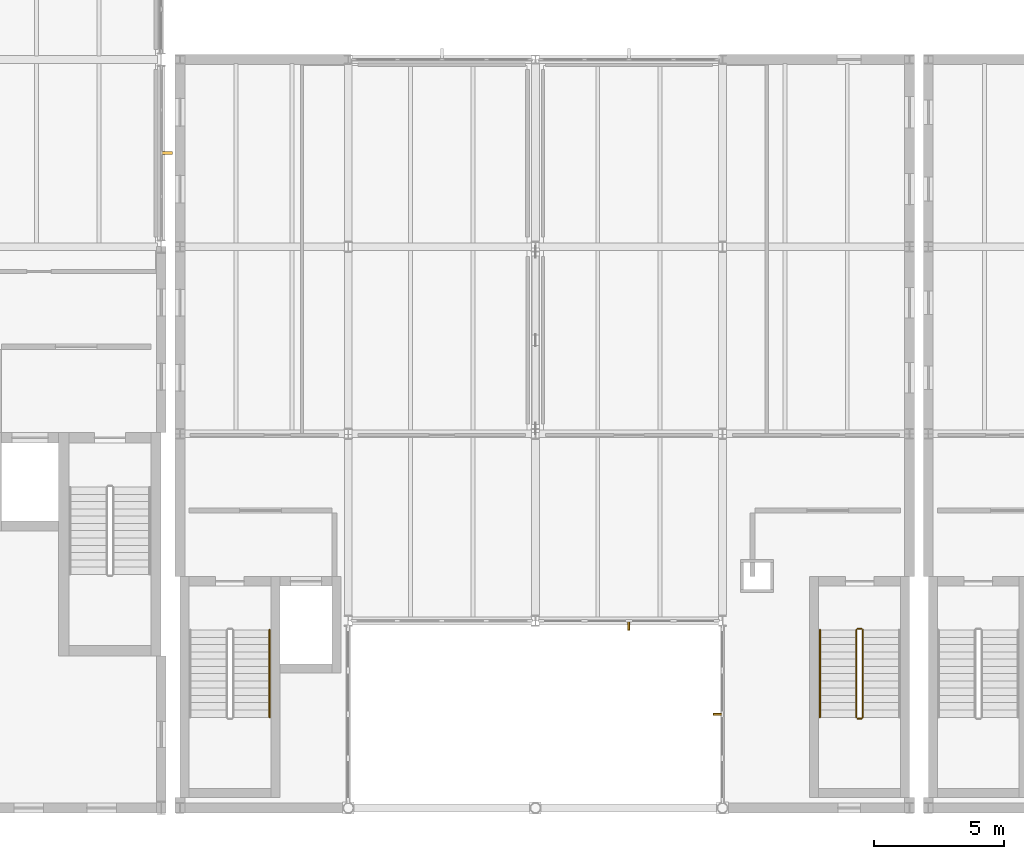
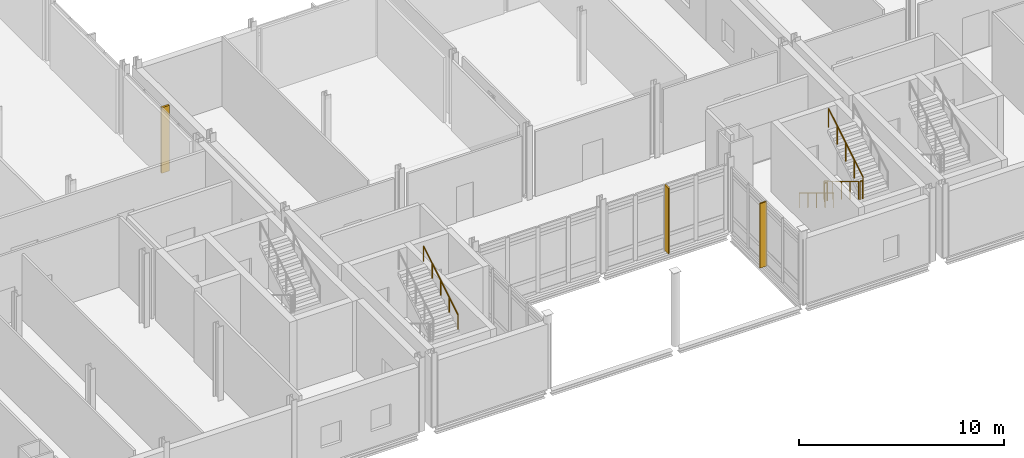
# One storey, part 66 of 76: 6 railings, 3 shading devices.
"""IFC4 building model written with IfcOpenShell, lengths in metres."""

from ifc_helpers import new_model, si_unit, direction, frame, origin, origin_2d, place, context, subcontext, project, spatial, rectangle, circle, extrude, material, layer, layer_set, type_object, element, save


model = new_model("IFC4")

# Units and contexts
model_context = context("Model", 3, precision=1e-05, world=origin(), true_north=direction((0.0, 1.0)))
body_context = subcontext(model_context, "Body", "Model", "MODEL_VIEW")
ifc_project = project(units=[si_unit("LENGTHUNIT", "METRE"), si_unit("AREAUNIT", "SQUARE_METRE"), si_unit("VOLUMEUNIT", "CUBIC_METRE"), si_unit("PLANEANGLEUNIT", "RADIAN"), si_unit("MASSUNIT", "GRAM", prefix="KILO")], contexts=[model_context])

# Site, building, storey
site_placement = place(None, origin())
site = spatial("IfcSite", under=ifc_project, at=site_placement, CompositionType="ELEMENT")
building_placement = place(site_placement, origin())
building = spatial("IfcBuilding", under=site, at=building_placement, Name="Zarrinpeak Specialist Clinic", CompositionType="ELEMENT")
storey_placement = place(building_placement, frame((0.0, 0.0, 5.199951171875)))
storey = spatial("IfcBuildingStorey", under=building, at=storey_placement, Name="L01", CompositionType="ELEMENT", Elevation=5.199951171875)

# Railings
ifc_material_1 = material(Name="Laminated Safety Glass and Stainless Steel 316", Category="steel")
ifc_layer_1 = layer(ifc_material_1, 0.06005859375)
ifc_layer_set_1 = layer_set([ifc_layer_1], Name="Laminated Safety Glass and Stainless Steel 316")
railing_type_1 = type_object("IfcRailingType", Name="RL-GRD115", PredefinedType="GUARDRAIL", material=ifc_layer_set_1)
railing_1_placement = place(storey_placement, frame((55.550048828125, 6.85009765625, 0.169189453125)))
element("IfcRailing", 1, at=railing_1_placement, inside=storey, type_object=railing_type_1, Name="L01 ST-04 stair guard 1", PredefinedType="GUARDRAIL", context=body_context, shape_type="SweptSolid", body=[
    extrude(circle(Radius=0.02392578125, at=origin_2d()), frame((0.0, 0.0, 1.076171875), z_axis=(0.0, -0.855836976705, 0.517245656632), x_axis=(1.0, 0.0, 0.0)), (0.0, 0.0, 1.0), 3.926025390625),
    extrude(circle(Radius=0.02099609375, at=origin_2d()), origin(), (0.0, 0.0, 1.0), 1.052001953125),
    extrude(circle(Radius=0.02099609375, at=origin_2d()), frame((0.0, -0.840087890625, 0.5078125)), (0.0, 0.0, 1.0), 1.052001953125),
    extrude(circle(Radius=0.02099609375, at=origin_2d()), frame((0.0, -1.68017578125, 1.015380859375)), (0.0, 0.0, 1.0), 1.052001953125),
    extrude(circle(Radius=0.02099609375, at=origin_2d()), frame((0.0, -2.52001953125, 1.52294921875)), (0.0, 0.0, 1.0), 1.052001953125),
    extrude(circle(Radius=0.02099609375, at=origin_2d()), frame((0.0, -3.360107421875, 2.03076171875)), (0.0, 0.0, 1.0), 1.052001953125),
])
railing_2_placement = place(storey_placement, frame((55.60009765625, 3.43994140625, 2.199951171875)))
element("IfcRailing", 2, at=railing_2_placement, inside=storey, type_object=railing_type_1, Name="L01 ST-04 stair guard 2", PredefinedType="GUARDRAIL", context=body_context, shape_type="SweptSolid", body=[
    extrude(circle(Radius=0.02392578125, at=origin_2d()), frame((0.0, 0.0, 1.076171875), z_axis=(1.0, 0.0, 0.0), x_axis=(0.0, 1.0, 0.0)), (0.0, 0.0, 1.0), 0.14990234375),
    extrude(circle(Radius=0.02099609375, at=origin_2d()), origin(), (0.0, 0.0, 1.0), 1.052001953125),
    extrude(circle(Radius=0.02099609375, at=origin_2d()), frame((0.14990234375, 0.0, 0.0)), (0.0, 0.0, 1.0), 1.052001953125),
])
railing_3_placement = place(storey_placement, frame((55.800048828125, 3.489990234375, 2.369384765625)))
element("IfcRailing", 3, at=railing_3_placement, inside=storey, type_object=railing_type_1, Name="L01 ST-04 stair guard 3", PredefinedType="GUARDRAIL", context=body_context, shape_type="SweptSolid", body=[
    extrude(circle(Radius=0.02392578125, at=origin_2d()), frame((0.0, 0.0, 1.076171875), z_axis=(0.0, 0.855836976705, 0.517245656632), x_axis=(-1.0, 0.0, 0.0)), (0.0, 0.0, 1.0), 3.926025390625),
    extrude(circle(Radius=0.02099609375, at=origin_2d()), origin(), (0.0, 0.0, 1.0), 1.052001953125),
    extrude(circle(Radius=0.02099609375, at=origin_2d()), frame((0.0, 0.840087890625, 0.5078125)), (0.0, 0.0, 1.0), 1.052001953125),
    extrude(circle(Radius=0.02099609375, at=origin_2d()), frame((0.0, 1.68017578125, 1.015380859375)), (0.0, 0.0, 1.0), 1.052001953125),
    extrude(circle(Radius=0.02099609375, at=origin_2d()), frame((0.0, 2.52001953125, 1.52294921875)), (0.0, 0.0, 1.0), 1.052001953125),
    extrude(circle(Radius=0.02099609375, at=origin_2d()), frame((0.0, 3.360107421875, 2.03076171875)), (0.0, 0.0, 1.0), 1.052001953125),
])
railing_4_placement = place(storey_placement, frame((55.60009765625, 6.89990234375, 0.0)))
element("IfcRailing", 4, at=railing_4_placement, inside=storey, type_object=railing_type_1, Name="L01 ST-04 stair guard 4", PredefinedType="GUARDRAIL", context=body_context, shape_type="SweptSolid", body=[
    extrude(circle(Radius=0.02392578125, at=origin_2d()), frame((0.0, 0.0, 1.076171875), z_axis=(1.0, 0.0, 0.0), x_axis=(0.0, 1.0, 0.0)), (0.0, 0.0, 1.0), 0.14990234375),
    extrude(circle(Radius=0.02099609375, at=origin_2d()), origin(), (0.0, 0.0, 1.0), 1.052001953125),
    extrude(circle(Radius=0.02099609375, at=origin_2d()), frame((0.14990234375, 0.0, 0.0)), (0.0, 0.0, 1.0), 1.052001953125),
])
ifc_material_2 = material(Name="Brushed Stainless Steel 316 Handrail", Category="steel")
ifc_layer_2 = layer(ifc_material_2, 0.050048828125)
ifc_layer_set_2 = layer_set([ifc_layer_2], Name="Brushed Stainless Steel 316 Handrail")
railing_type_2 = type_object("IfcRailingType", Name="RL-HND92", PredefinedType="HANDRAIL", material=ifc_layer_set_2)
railing_5_placement = place(storey_placement, frame((32.969970703125, 3.489990234375, 2.369384765625)))
element("IfcRailing", 5, at=railing_5_placement, inside=storey, type_object=railing_type_2, Name="L01 ST-03 stair handrail 2", PredefinedType="HANDRAIL", context=body_context, shape_type="SweptSolid", body=[
    extrude(circle(Radius=0.02392578125, at=origin_2d()), frame((0.0, 0.0, 0.8759765625), z_axis=(0.0, 0.855836976705, 0.517245656632), x_axis=(-1.0, 0.0, 0.0)), (0.0, 0.0, 1.0), 3.926025390625),
    extrude(circle(Radius=0.02099609375, at=origin_2d()), origin(), (0.0, 0.0, 1.0), 0.851806640625),
    extrude(circle(Radius=0.02099609375, at=origin_2d()), frame((0.0, 0.840087890625, 0.5078125)), (0.0, 0.0, 1.0), 0.851806640625),
    extrude(circle(Radius=0.02099609375, at=origin_2d()), frame((0.0, 1.68017578125, 1.015380859375)), (0.0, 0.0, 1.0), 0.851806640625),
    extrude(circle(Radius=0.02099609375, at=origin_2d()), frame((0.0, 2.52001953125, 1.52294921875)), (0.0, 0.0, 1.0), 0.851806640625),
    extrude(circle(Radius=0.02099609375, at=origin_2d()), frame((0.0, 3.360107421875, 2.03076171875)), (0.0, 0.0, 1.0), 0.851806640625),
])
railing_6_placement = place(storey_placement, frame((54.14990234375, 6.85009765625, 0.169189453125)))
element("IfcRailing", 6, at=railing_6_placement, inside=storey, type_object=railing_type_2, Name="L01 ST-04 stair handrail 1", PredefinedType="HANDRAIL", context=body_context, shape_type="SweptSolid", body=[
    extrude(circle(Radius=0.02392578125, at=origin_2d()), frame((0.0, 0.0, 0.8759765625), z_axis=(0.0, -0.855836976705, 0.517245656632), x_axis=(1.0, 0.0, 0.0)), (0.0, 0.0, 1.0), 3.926025390625),
    extrude(circle(Radius=0.02099609375, at=origin_2d()), origin(), (0.0, 0.0, 1.0), 0.851806640625),
    extrude(circle(Radius=0.02099609375, at=origin_2d()), frame((0.0, -0.840087890625, 0.5078125)), (0.0, 0.0, 1.0), 0.851806640625),
    extrude(circle(Radius=0.02099609375, at=origin_2d()), frame((0.0, -1.68017578125, 1.015380859375)), (0.0, 0.0, 1.0), 0.851806640625),
    extrude(circle(Radius=0.02099609375, at=origin_2d()), frame((0.0, -2.52001953125, 1.52294921875)), (0.0, 0.0, 1.0), 0.851806640625),
    extrude(circle(Radius=0.02099609375, at=origin_2d()), frame((0.0, -3.360107421875, 2.03076171875)), (0.0, 0.0, 1.0), 0.851806640625),
])

# Shading devices
ifc_material_3 = material(Name="Anodised Bronze Aluminium", Category="aluminium")
shading_device_type_1 = type_object("IfcShadingDeviceType", Name="SHD-FIN-BZ", PredefinedType="JALOUSIE", material=ifc_material_3)
shading_device_1_placement = place(storey_placement, frame((46.800048828125, 7.034912109375, -0.01513671875), z_axis=(0.0, 0.0, 1.0), x_axis=(1.0, 0.0, 0.0)))
element("IfcShadingDevice", 7, at=shading_device_1_placement, inside=storey, type_object=shading_device_type_1, Name="L01 V2 Solar Control Fin FIN-030", PredefinedType="JALOUSIE", context=body_context, shape_type="SweptSolid", body=[
    extrude(rectangle(XDim=0.074951171875, YDim=0.3798828125, at=origin_2d()), origin(), (0.0, 0.0, 1.0), 3.909912109375),
])
shading_device_2_placement = place(storey_placement, frame((50.235107421875, 3.6015625, -0.01513671875), z_axis=(0.0, 0.0, 1.0), x_axis=(1.0, 0.0, 0.0)))
element("IfcShadingDevice", 8, at=shading_device_2_placement, inside=storey, type_object=shading_device_type_1, Name="L01 V2 Solar Control Fin FIN-031", PredefinedType="JALOUSIE", context=body_context, shape_type="SweptSolid", body=[
    extrude(rectangle(XDim=0.3798828125, YDim=0.074951171875, at=origin_2d()), origin(), (0.0, 0.0, 1.0), 3.840087890625),
])
ifc_material_4 = material(Name="Glulam GL28h", Category="wood")
shading_device_type_2 = type_object("IfcShadingDeviceType", Name="SHD-FIN-GL", PredefinedType="USERDEFINED", material=ifc_material_4)
shading_device_3_placement = place(storey_placement, frame((29.0, 25.199951171875, -0.01513671875), z_axis=(0.0, 0.0, 1.0), x_axis=(1.0, 0.0, 0.0)))
element("IfcShadingDevice", 9, at=shading_device_3_placement, inside=storey, type_object=shading_device_type_2, Name="L01 V1 Cedar-Glulam Courtyard Fin FIN-005", ObjectType="SUNSHADE", PredefinedType="USERDEFINED", context=body_context, shape_type="SweptSolid", body=[
    extrude(rectangle(XDim=0.449951171875, YDim=0.110107421875, at=origin_2d()), origin(), (0.0, 0.0, 1.0), 3.909912109375),
])

save(model, "model.ifc")
